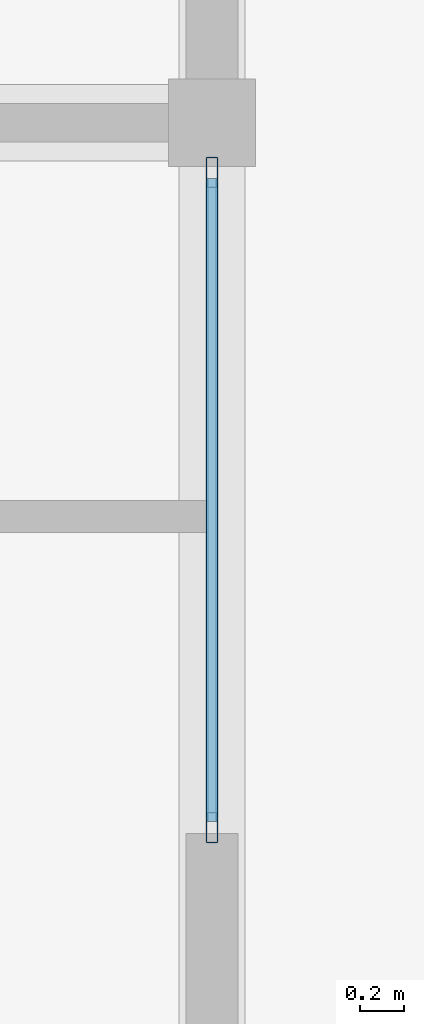
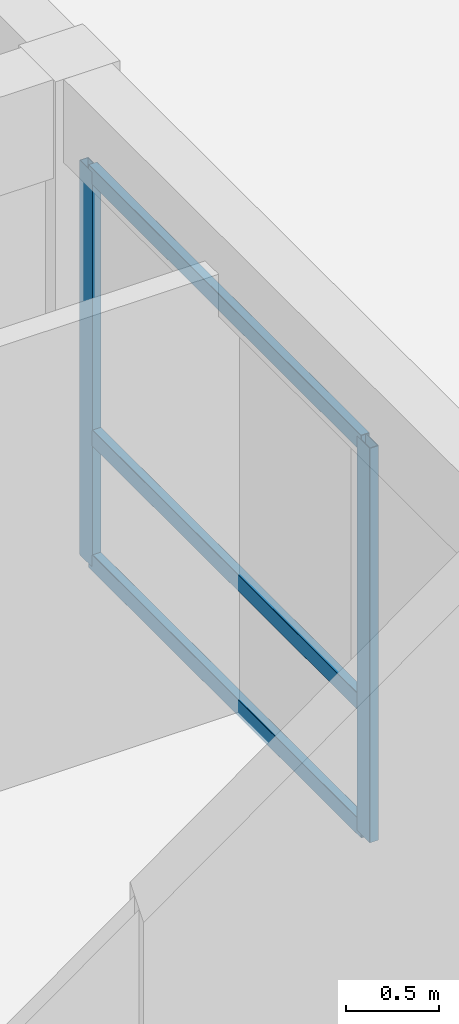
# One storey, part 6 of 12: 5 members, 1 element without a shape of its own.
"""IFC4 building model written with IfcOpenShell, lengths in metres."""

from ifc_helpers import new_model, si_unit, direction, frame, origin, origin_2d, place, context, subcontext, project, spatial, hollow_rectangle, extrude, material, material_profile, profile_set, type_object, element, aggregate, save


model = new_model("IFC4")

# Units and contexts
model_context = context("Model", 3, precision=1e-05, world=origin(), true_north=direction((0.0, 1.0)))
body_context = subcontext(model_context, "Body", "Model", "MODEL_VIEW")
ifc_project = project(units=[si_unit("LENGTHUNIT", "METRE"), si_unit("AREAUNIT", "SQUARE_METRE"), si_unit("VOLUMEUNIT", "CUBIC_METRE"), si_unit("PLANEANGLEUNIT", "RADIAN"), si_unit("MASSUNIT", "GRAM", prefix="KILO")], contexts=[model_context])

# Site, building, storey
site_placement = place(None, origin())
site = spatial("IfcSite", under=ifc_project, at=site_placement, CompositionType="ELEMENT")
building_placement = place(site_placement, origin())
building = spatial("IfcBuilding", under=site, at=building_placement, Name="Kernevlak Ridge Housing Community", CompositionType="ELEMENT")
storey_placement = place(building_placement, frame((0.0, 0.0, 56.39990234375)))
storey = spatial("IfcBuildingStorey", under=building, at=storey_placement, Name="L17", CompositionType="ELEMENT", Elevation=56.39990234375)

# Curtain wall, members
ifc_material_1 = material(Name="Aluminium EN AW-6060 anodised and laminated glass", Category="aluminium")
curtain_wall_type = type_object("IfcCurtainWallType", Name="CW-06", PredefinedType="NOTDEFINED", material=ifc_material_1)
curtain_wall_placement = place(storey_placement, origin())
curtain_wall = element("IfcCurtainWall", 1, at=curtain_wall_placement, inside=storey, type_object=curtain_wall_type, Name="Curtain wall CW-06 CW-L17-054", PredefinedType="NOTDEFINED")
ifc_material_2 = material(Name="Aluminium EN AW-6060 anodised", Category="aluminium")
ifc_material_profile_1 = material_profile(ifc_material_2, hollow_rectangle(XDim=0.054931640625, YDim=0.139892578125, WallThickness=0.00390625, InnerFilletRadius=0.001953125, OuterFilletRadius=0.00390625, at=origin_2d()), Name="ALU 55x140x4")
ifc_profile_set_1 = profile_set([ifc_material_profile_1], Name="Aluminium EN AW-6060 anodised")
member_type_1 = type_object("IfcMemberType", Name="MU-01", PredefinedType="MULLION", material=ifc_profile_set_1)
member_1_placement = place(storey_placement, frame((42.0, 85.9775390625, 0.0), z_axis=(0.0, 0.0, 1.0), x_axis=(-1.0, 0.0, 0.0)))
member_1 = element("IfcMember", 2, at=member_1_placement, type_object=member_type_1, Name="CW-06 mullion 1", PredefinedType="MULLION", context=body_context, shape_type="SweptSolid", body=[
    extrude(hollow_rectangle(XDim=0.054931640625, YDim=0.139892578125, WallThickness=0.00390625, InnerFilletRadius=0.001953125, OuterFilletRadius=0.00390625, at=origin_2d()), origin(), (0.0, 0.0, 1.0), 2.60009765625),
])
member_2_placement = place(storey_placement, frame((42.0, 88.972412109375, 0.0), z_axis=(0.0, 0.0, 1.0), x_axis=(-1.0, 0.0, 0.0)))
member_2 = element("IfcMember", 3, at=member_2_placement, type_object=member_type_1, Name="CW-06 mullion 2", PredefinedType="MULLION", context=body_context, shape_type="SweptSolid", body=[
    extrude(hollow_rectangle(XDim=0.054931640625, YDim=0.139892578125, WallThickness=0.00390625, InnerFilletRadius=0.001953125, OuterFilletRadius=0.00390625, at=origin_2d()), origin(), (0.0, 0.0, 1.0), 2.60009765625),
])
ifc_material_profile_2 = material_profile(ifc_material_2, hollow_rectangle(XDim=0.054931640625, YDim=0.110107421875, WallThickness=0.00390625, InnerFilletRadius=0.001953125, OuterFilletRadius=0.00390625, at=origin_2d()), Name="ALU 55x110x4")
ifc_profile_set_2 = profile_set([ifc_material_profile_2], Name="Aluminium EN AW-6060 anodised")
member_type_2 = type_object("IfcMemberType", Name="TM-01", PredefinedType="USERDEFINED", material=ifc_profile_set_2)
member_3_placement = place(storey_placement, frame((42.0, 86.0048828125, 0.027587890625), z_axis=(0.0, 1.0, 0.0), x_axis=(-1.0, 0.0, 0.0)))
member_3 = element("IfcMember", 4, at=member_3_placement, type_object=member_type_2, Name="CW-06 transom 1.1", ObjectType="TRANSOM", PredefinedType="USERDEFINED", context=body_context, shape_type="SweptSolid", body=[
    extrude(hollow_rectangle(XDim=0.054931640625, YDim=0.110107421875, WallThickness=0.00390625, InnerFilletRadius=0.001953125, OuterFilletRadius=0.00390625, at=origin_2d()), origin(), (0.0, 0.0, 1.0), 2.940185546875),
])
member_4_placement = place(storey_placement, frame((42.0, 86.0048828125, 0.85009765625), z_axis=(0.0, 1.0, 0.0), x_axis=(-1.0, 0.0, 0.0)))
member_4 = element("IfcMember", 5, at=member_4_placement, type_object=member_type_2, Name="CW-06 transom 1.2", ObjectType="TRANSOM", PredefinedType="USERDEFINED", context=body_context, shape_type="SweptSolid", body=[
    extrude(hollow_rectangle(XDim=0.054931640625, YDim=0.110107421875, WallThickness=0.00390625, InnerFilletRadius=0.001953125, OuterFilletRadius=0.00390625, at=origin_2d()), origin(), (0.0, 0.0, 1.0), 2.940185546875),
])
member_5_placement = place(storey_placement, frame((42.0, 86.0048828125, 2.572509765625), z_axis=(0.0, 1.0, 0.0), x_axis=(-1.0, 0.0, 0.0)))
member_5 = element("IfcMember", 6, at=member_5_placement, type_object=member_type_2, Name="CW-06 transom 1.3", ObjectType="TRANSOM", PredefinedType="USERDEFINED", context=body_context, shape_type="SweptSolid", body=[
    extrude(hollow_rectangle(XDim=0.054931640625, YDim=0.110107421875, WallThickness=0.00390625, InnerFilletRadius=0.001953125, OuterFilletRadius=0.00390625, at=origin_2d()), origin(), (0.0, 0.0, 1.0), 2.940185546875),
])
aggregate(curtain_wall, [member_1, member_2, member_3, member_4, member_5])

save(model, "model.ifc")
